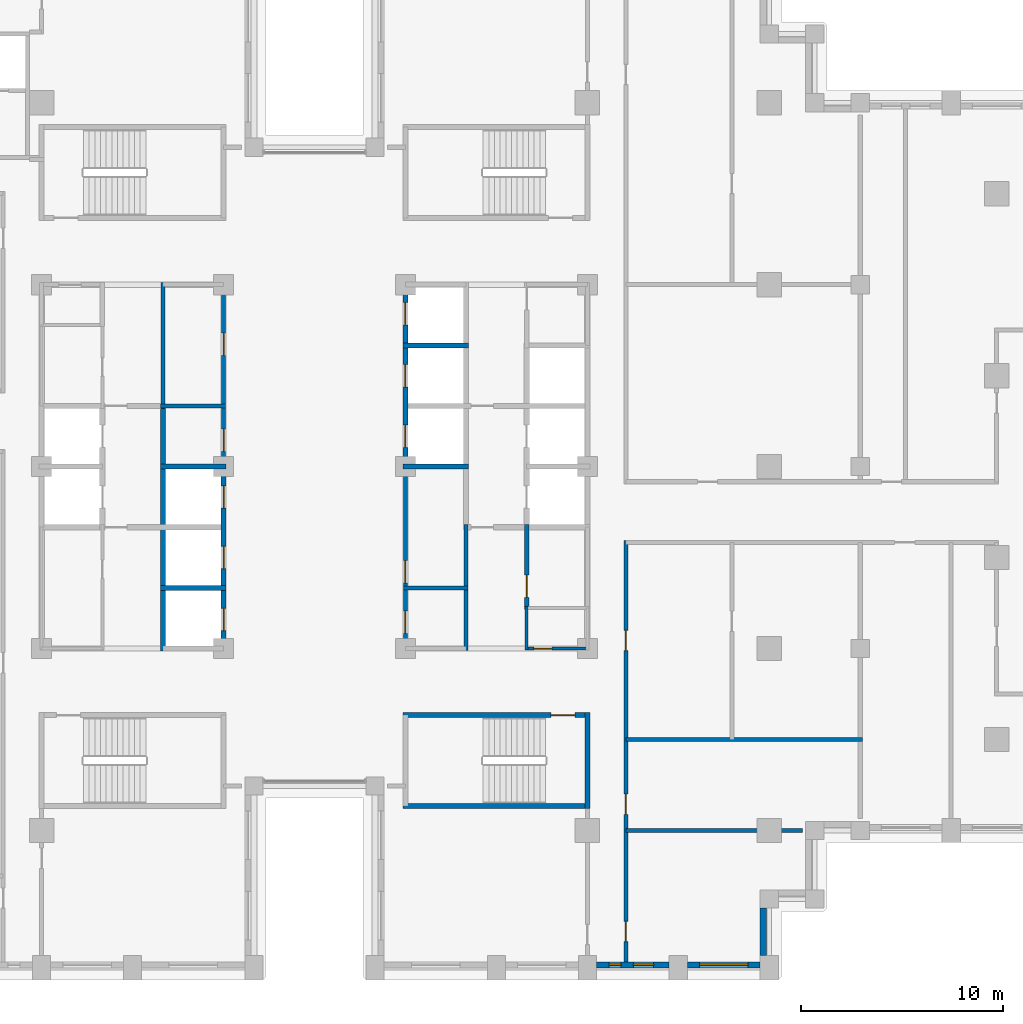
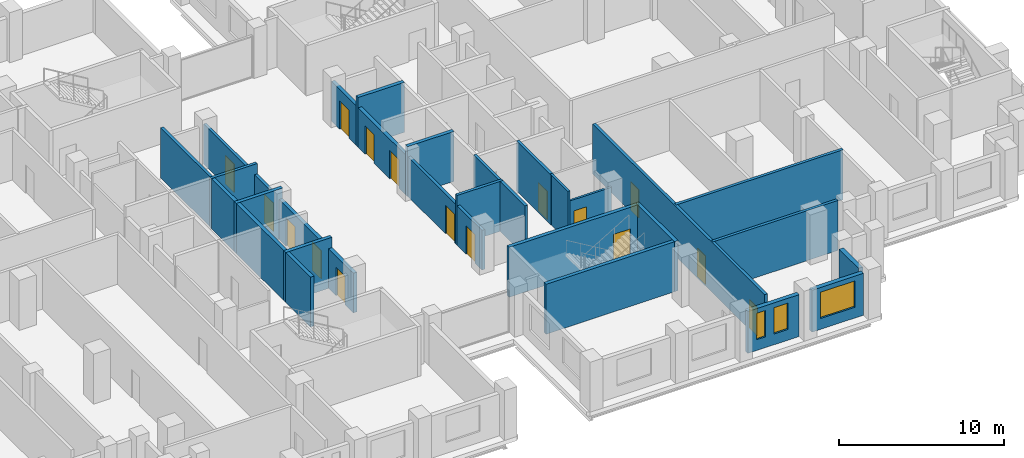
# One storey, part 8 of 16: 25 walls, 16 doors, 3 windows, 19 openings.
"""IFC4 building model written with IfcOpenShell, lengths in metres."""

from ifc_helpers import new_model, si_unit, direction, frame, frame_2d, origin, place, context, subcontext, project, spatial, rectangle, extrude, material, layer, layer_set, type_object, element, fill, save


model = new_model("IFC4")

# Units and contexts
model_context = context("Model", 3, precision=1e-05, world=origin(), true_north=direction((0.0, 1.0)))
body_context = subcontext(model_context, "Body", "Model", "MODEL_VIEW")
ifc_project = project(units=[si_unit("LENGTHUNIT", "METRE"), si_unit("AREAUNIT", "SQUARE_METRE"), si_unit("VOLUMEUNIT", "CUBIC_METRE"), si_unit("PLANEANGLEUNIT", "RADIAN"), si_unit("MASSUNIT", "GRAM", prefix="KILO")], contexts=[model_context])

# Site, building, storey
site_placement = place(None, origin())
site = spatial("IfcSite", under=ifc_project, at=site_placement, CompositionType="ELEMENT")
building_placement = place(site_placement, origin())
building = spatial("IfcBuilding", under=site, at=building_placement, Name="Corbelhall Arena Tower", CompositionType="ELEMENT")
storey_placement = place(building_placement, frame((0.0, 0.0, 104.0)))
storey = spatial("IfcBuildingStorey", under=building, at=storey_placement, Name="L18", CompositionType="ELEMENT", Elevation=104.0)

# Wall, openings, windows
ifc_material_1 = material(Name="Precast concrete C40/50 with granite facing", Category="masonry")
ifc_layer_1 = layer(ifc_material_1, 0.300048828125)
ifc_layer_set_1 = layer_set([ifc_layer_1], Name="EV-IW1 Infill panel 300")
wall_type_1 = type_object("IfcWallType", Name="EV-IW1 Infill panel 300", PredefinedType="SOLIDWALL", material=ifc_layer_set_1)
wall_1_placement = place(storey_placement, frame((13.949951171875, -24.64990234375, 0.0), z_axis=(0.0, 0.0, 1.0), x_axis=(1.0, 0.0, 0.0)))
wall_1 = element("IfcWall", 1, at=wall_1_placement, inside=storey, type_object=wall_type_1, Name="Infill panel IW1", PredefinedType="SOLIDWALL", context=body_context, shape_type="SweptSolid", body=[
    extrude(rectangle(XDim=3.60009765625, YDim=0.300048828125, at=frame_2d((1.800048828125, 0.0))), origin(), (0.0, 0.0, 1.0), 3.10009765625),
])
opening_1_placement = place(wall_1_placement, frame((0.625, 0.0, 0.800048828125)))
opening_1 = element("IfcOpeningElement", 2, at=opening_1_placement, cuts=wall_1, Name="Opening WN5", PredefinedType="OPENING", context=body_context, shape_type="SweptSolid", body=[
    extrude(rectangle(XDim=0.60009765625, YDim=1.949951171875, at=frame_2d((0.300048828125, 0.97509765625))), frame((0.0, 0.14990234375, 0.0), z_axis=(0.0, -1.0, 0.0), x_axis=(1.0, 0.0, 0.0)), (0.0, 0.0, 1.0), 0.300048828125),
])
opening_2_placement = place(wall_1_placement, frame((1.824951171875, 0.0, 0.800048828125)))
opening_2 = element("IfcOpeningElement", 3, at=opening_2_placement, cuts=wall_1, Name="Opening WN6", PredefinedType="OPENING", context=body_context, shape_type="SweptSolid", body=[
    extrude(rectangle(XDim=1.0, YDim=1.949951171875, at=frame_2d((0.5, 0.97509765625))), frame((0.0, 0.14990234375, 0.0), z_axis=(0.0, -1.0, 0.0), x_axis=(1.0, 0.0, 0.0)), (0.0, 0.0, 1.0), 0.300048828125),
])
ifc_material_2 = material(Name="Aluminium black anodised", Category="aluminium")
window_type_1 = type_object("IfcWindowType", Name="EV-WN5 Office window 600", PartitioningType="SINGLE_PANEL", PredefinedType="WINDOW", material=ifc_material_2)
window_1_placement = place(opening_1_placement, origin())
window_1 = element("IfcWindow", 4, at=window_1_placement, inside=storey, type_object=window_type_1, Name="Window WN5", OverallHeight=1.949951171875, OverallWidth=0.60009765625, PartitioningType="SINGLE_PANEL", PredefinedType="WINDOW", context=body_context, shape_type="SweptSolid", body=[
    extrude(rectangle(XDim=0.60009765625, YDim=1.949951171875, at=frame_2d((0.300048828125, 0.97509765625))), frame((0.0, 0.030029296875, 0.0), z_axis=(0.0, -1.0, 0.0), x_axis=(1.0, 0.0, 0.0)), (0.0, 0.0, 1.0), 0.06005859375),
])
fill(opening_1, window_1)
window_type_2 = type_object("IfcWindowType", Name="EV-WN6 Office window 1000", PartitioningType="SINGLE_PANEL", PredefinedType="WINDOW", material=ifc_material_2)
window_2_placement = place(opening_2_placement, origin())
window_2 = element("IfcWindow", 5, at=window_2_placement, inside=storey, type_object=window_type_2, Name="Window WN6", OverallHeight=1.949951171875, OverallWidth=1.0, PartitioningType="SINGLE_PANEL", PredefinedType="WINDOW", context=body_context, shape_type="SweptSolid", body=[
    extrude(rectangle(XDim=1.0, YDim=1.949951171875, at=frame_2d((0.5, 0.97509765625))), frame((0.0, 0.030029296875, 0.0), z_axis=(0.0, -1.0, 0.0), x_axis=(1.0, 0.0, 0.0)), (0.0, 0.0, 1.0), 0.06005859375),
])
fill(opening_2, window_2)

# Wall, opening, window
wall_2_placement = place(storey_placement, frame((18.449951171875, -24.64990234375, 0.0), z_axis=(0.0, 0.0, 1.0), x_axis=(1.0, 0.0, 0.0)))
wall_2 = element("IfcWall", 6, at=wall_2_placement, inside=storey, type_object=wall_type_1, Name="Infill panel IW1", PredefinedType="SOLIDWALL", context=body_context, shape_type="SweptSolid", body=[
    extrude(rectangle(XDim=3.60009765625, YDim=0.300048828125, at=frame_2d((1.800048828125, 0.0))), origin(), (0.0, 0.0, 1.0), 3.10009765625),
])
opening_3_placement = place(wall_2_placement, frame((0.60009765625, 0.0, 0.800048828125)))
opening_3 = element("IfcOpeningElement", 7, at=opening_3_placement, cuts=wall_2, Name="Opening WN1", PredefinedType="OPENING", context=body_context, shape_type="SweptSolid", body=[
    extrude(rectangle(XDim=2.39990234375, YDim=1.949951171875, at=frame_2d((1.199951171875, 0.97509765625))), frame((0.0, 0.14990234375, 0.0), z_axis=(0.0, -1.0, 0.0), x_axis=(1.0, 0.0, 0.0)), (0.0, 0.0, 1.0), 0.300048828125),
])
window_type_3 = type_object("IfcWindowType", Name="EV-WN1 Office window", PartitioningType="SINGLE_PANEL", PredefinedType="WINDOW", material=ifc_material_2)
window_3_placement = place(opening_3_placement, origin())
window_3 = element("IfcWindow", 8, at=window_3_placement, inside=storey, type_object=window_type_3, Name="Window WN1", OverallHeight=1.949951171875, OverallWidth=2.39990234375, PartitioningType="SINGLE_PANEL", PredefinedType="WINDOW", context=body_context, shape_type="SweptSolid", body=[
    extrude(rectangle(XDim=2.39990234375, YDim=1.949951171875, at=frame_2d((1.199951171875, 0.97509765625))), frame((0.0, 0.030029296875, 0.0), z_axis=(0.0, -1.0, 0.0), x_axis=(1.0, 0.0, 0.0)), (0.0, 0.0, 1.0), 0.06005859375),
])
fill(opening_3, window_3)

# Walls
wall_3_placement = place(storey_placement, frame((22.199951171875, -24.199951171875, 0.0), z_axis=(0.0, 0.0, 1.0), x_axis=(0.0, 1.0, 0.0)))
element("IfcWall", 9, at=wall_3_placement, inside=storey, type_object=wall_type_1, Name="Infill panel IW1", PredefinedType="SOLIDWALL", context=body_context, shape_type="SweptSolid", body=[
    extrude(rectangle(XDim=2.349853515625, YDim=0.300048828125, at=frame_2d((1.1748046875, 0.0))), origin(), (0.0, 0.0, 1.0), 3.10009765625),
])
ifc_material_3 = material(Name="Gypsum board on steel stud, acoustic", Category="steel")
ifc_layer_2 = layer(ifc_material_3, 0.199951171875)
ifc_layer_set_2 = layer_set([ifc_layer_2], Name="IN-W-DM200")
wall_type_2 = type_object("IfcWallType", Name="IN-W-DM200", PredefinedType="PARTITIONING", material=ifc_layer_set_2)
wall_4_placement = place(storey_placement, frame((15.39990234375, -18.0, 0.0), z_axis=(0.0, 0.0, 1.0), x_axis=(1.0, 0.0, 0.0)))
element("IfcWall", 10, at=wall_4_placement, inside=storey, type_object=wall_type_2, Name="Partition 027", PredefinedType="PARTITIONING", context=body_context, shape_type="SweptSolid", body=[
    extrude(rectangle(XDim=8.75, YDim=0.199951171875, at=frame_2d((4.375, 0.0))), origin(), (0.0, 0.0, 1.0), 3.699951171875),
])

# Wall, openings, doors
wall_5_placement = place(storey_placement, frame((15.39990234375, -3.64990234375, 0.0), z_axis=(0.0, 0.0, 1.0), x_axis=(0.0, -1.0, 0.0)))
wall_5 = element("IfcWall", 11, at=wall_5_placement, inside=storey, type_object=wall_type_2, Name="Partition 028", PredefinedType="PARTITIONING", context=body_context, shape_type="SweptSolid", body=[
    extrude(rectangle(XDim=20.85009765625, YDim=0.199951171875, at=frame_2d((10.425048828125, 0.0))), origin(), (0.0, 0.0, 1.0), 3.699951171875),
])
opening_4_placement = place(wall_5_placement, frame((18.85009765625, 0.0, 0.0)))
opening_4 = element("IfcOpeningElement", 12, at=opening_4_placement, cuts=wall_5, Name="Opening 04035", PredefinedType="OPENING", context=body_context, shape_type="SweptSolid", body=[
    extrude(rectangle(XDim=1.0, YDim=2.10009765625, at=frame_2d((0.5, 1.050048828125))), frame((0.0, 0.10009765625, 0.0), z_axis=(0.0, -1.0, 0.0), x_axis=(1.0, 0.0, 0.0)), (0.0, 0.0, 1.0), 0.199951171875),
])
opening_5_placement = place(wall_5_placement, frame((12.550048828125, 0.0, 0.0)))
opening_5 = element("IfcOpeningElement", 13, at=opening_5_placement, cuts=wall_5, Name="Opening 04036", PredefinedType="OPENING", context=body_context, shape_type="SweptSolid", body=[
    extrude(rectangle(XDim=1.0, YDim=2.10009765625, at=frame_2d((0.5, 1.050048828125))), frame((0.0, 0.10009765625, 0.0), z_axis=(0.0, -1.0, 0.0), x_axis=(1.0, 0.0, 0.0)), (0.0, 0.0, 1.0), 0.199951171875),
])
opening_6_placement = place(wall_5_placement, frame((4.449951171875, 0.0, 0.0)))
opening_6 = element("IfcOpeningElement", 14, at=opening_6_placement, cuts=wall_5, Name="Opening 04037", PredefinedType="OPENING", context=body_context, shape_type="SweptSolid", body=[
    extrude(rectangle(XDim=1.0, YDim=2.10009765625, at=frame_2d((0.5, 1.050048828125))), frame((0.0, 0.10009765625, 0.0), z_axis=(0.0, -1.0, 0.0), x_axis=(1.0, 0.0, 0.0)), (0.0, 0.0, 1.0), 0.199951171875),
])
ifc_material_4 = material(Name="Steel door set", Category="steel")
door_type_1 = type_object("IfcDoorType", Name="IN-D-SW100", OperationType="NOTDEFINED", PredefinedType="DOOR", material=ifc_material_4)
door_1_placement = place(opening_4_placement, origin())
door_1 = element("IfcDoor", 15, at=door_1_placement, inside=storey, type_object=door_type_1, Name="Door 035", OperationType="SINGLE_SWING_RIGHT", OverallHeight=2.10009765625, OverallWidth=1.0, PredefinedType="DOOR", context=body_context, shape_type="SweptSolid", body=[
    extrude(rectangle(XDim=1.0, YDim=2.10009765625, at=frame_2d((0.5, 1.050048828125))), frame((0.0, 0.02490234375, 0.0), z_axis=(0.0, -1.0, 0.0), x_axis=(1.0, 0.0, 0.0)), (0.0, 0.0, 1.0), 0.050048828125),
])
fill(opening_4, door_1)
door_2_placement = place(opening_5_placement, origin())
door_2 = element("IfcDoor", 16, at=door_2_placement, inside=storey, type_object=door_type_1, Name="Door 036", OperationType="SINGLE_SWING_LEFT", OverallHeight=2.10009765625, OverallWidth=1.0, PredefinedType="DOOR", context=body_context, shape_type="SweptSolid", body=[
    extrude(rectangle(XDim=1.0, YDim=2.10009765625, at=frame_2d((0.5, 1.050048828125))), frame((0.0, 0.02490234375, 0.0), z_axis=(0.0, -1.0, 0.0), x_axis=(1.0, 0.0, 0.0)), (0.0, 0.0, 1.0), 0.050048828125),
])
fill(opening_5, door_2)
door_3_placement = place(opening_6_placement, origin())
door_3 = element("IfcDoor", 17, at=door_3_placement, inside=storey, type_object=door_type_1, Name="Door 037", OperationType="SINGLE_SWING_RIGHT", OverallHeight=2.10009765625, OverallWidth=1.0, PredefinedType="DOOR", context=body_context, shape_type="SweptSolid", body=[
    extrude(rectangle(XDim=1.0, YDim=2.10009765625, at=frame_2d((0.5, 1.050048828125))), frame((0.0, 0.02490234375, 0.0), z_axis=(0.0, -1.0, 0.0), x_axis=(1.0, 0.0, 0.0)), (0.0, 0.0, 1.0), 0.050048828125),
])
fill(opening_6, door_3)

# Walls
wall_6_placement = place(storey_placement, frame((15.39990234375, -13.5, 0.0), z_axis=(0.0, 0.0, 1.0), x_axis=(1.0, 0.0, 0.0)))
element("IfcWall", 18, at=wall_6_placement, inside=storey, type_object=wall_type_2, Name="Partition 029", PredefinedType="PARTITIONING", context=body_context, shape_type="SweptSolid", body=[
    extrude(rectangle(XDim=11.7001953125, YDim=0.199951171875, at=frame_2d((5.85009765625, 0.0))), origin(), (0.0, 0.0, 1.0), 3.699951171875),
])
ifc_material_5 = material(Name="Concrete block wall", Category="concrete")
ifc_layer_3 = layer(ifc_material_5, 0.199951171875)
ifc_layer_set_3 = layer_set([ifc_layer_3], Name="IN-W-RS200")
wall_type_3 = type_object("IfcWallType", Name="IN-W-RS200", PredefinedType="SOLIDWALL", material=ifc_layer_set_3)
wall_7_placement = place(storey_placement, frame((-7.625, 3.0, 0.0), z_axis=(0.0, 0.0, 1.0), x_axis=(1.0, 0.0, 0.0)))
element("IfcWall", 19, at=wall_7_placement, inside=storey, type_object=wall_type_3, Name="Partition 047", PredefinedType="SOLIDWALL", context=body_context, shape_type="SweptSolid", body=[
    extrude(rectangle(XDim=3.22509765625, YDim=0.199951171875, at=frame_2d((1.612548828125, 0.0))), origin(), (0.0, 0.0, 1.0), 3.699951171875),
])
wall_8_placement = place(storey_placement, frame((-7.5, 2.875, 0.0), z_axis=(0.0, 0.0, 1.0), x_axis=(0.0, 1.0, 0.0)))
element("IfcWall", 20, at=wall_8_placement, inside=storey, type_object=wall_type_3, Name="Partition 048", PredefinedType="SOLIDWALL", context=body_context, shape_type="SweptSolid", body=[
    extrude(rectangle(XDim=6.22509765625, YDim=0.199951171875, at=frame_2d((3.112548828125, 0.0))), origin(), (0.0, 0.0, 1.0), 3.699951171875),
])
wall_9_placement = place(storey_placement, frame((4.39990234375, -6.0, 0.0), z_axis=(0.0, 0.0, 1.0), x_axis=(1.0, 0.0, 0.0)))
element("IfcWall", 21, at=wall_9_placement, inside=storey, type_object=wall_type_3, Name="Partition 051", PredefinedType="SOLIDWALL", context=body_context, shape_type="SweptSolid", body=[
    extrude(rectangle(XDim=3.2001953125, YDim=0.199951171875, at=frame_2d((1.60009765625, 0.0))), origin(), (0.0, 0.0, 1.0), 3.699951171875),
])
wall_10_placement = place(storey_placement, frame((7.5, -2.875, 0.0), z_axis=(0.0, 0.0, 1.0), x_axis=(0.0, -1.0, 0.0)))
element("IfcWall", 22, at=wall_10_placement, inside=storey, type_object=wall_type_3, Name="Partition 054", PredefinedType="SOLIDWALL", context=body_context, shape_type="SweptSolid", body=[
    extrude(rectangle(XDim=6.22509765625, YDim=0.199951171875, at=frame_2d((3.112548828125, 0.0))), origin(), (0.0, 0.0, 1.0), 3.699951171875),
])

# Wall, opening, door
wall_11_placement = place(storey_placement, frame((10.5, -2.875, 0.0), z_axis=(0.0, 0.0, 1.0), x_axis=(0.0, -1.0, 0.0)))
wall_11 = element("IfcWall", 23, at=wall_11_placement, inside=storey, type_object=wall_type_3, Name="Partition 055", PredefinedType="SOLIDWALL", context=body_context, shape_type="SweptSolid", body=[
    extrude(rectangle(XDim=4.199951171875, YDim=0.199951171875, at=frame_2d((2.10009765625, 0.0))), origin(), (0.0, 0.0, 1.0), 3.699951171875),
])
opening_7_placement = place(wall_11_placement, frame((2.5, 0.0, 0.0)))
opening_7 = element("IfcOpeningElement", 24, at=opening_7_placement, cuts=wall_11, Name="Opening 04013", PredefinedType="OPENING", context=body_context, shape_type="SweptSolid", body=[
    extrude(rectangle(XDim=1.10009765625, YDim=2.10009765625, at=frame_2d((0.550048828125, 1.050048828125))), frame((0.0, 0.10009765625, 0.0), z_axis=(0.0, -1.0, 0.0), x_axis=(1.0, 0.0, 0.0)), (0.0, 0.0, 1.0), 0.199951171875),
])
door_type_2 = type_object("IfcDoorType", Name="IN-D-FD110", OperationType="NOTDEFINED", PredefinedType="DOOR", material=ifc_material_4)
door_4_placement = place(opening_7_placement, origin())
door_4 = element("IfcDoor", 25, at=door_4_placement, inside=storey, type_object=door_type_2, Name="Door 013", OperationType="SINGLE_SWING_RIGHT", OverallHeight=2.10009765625, OverallWidth=1.10009765625, PredefinedType="DOOR", context=body_context, shape_type="SweptSolid", body=[
    extrude(rectangle(XDim=1.10009765625, YDim=2.10009765625, at=frame_2d((0.550048828125, 1.050048828125))), frame((0.0, 0.02490234375, 0.0), z_axis=(0.0, -1.0, 0.0), x_axis=(1.0, 0.0, 0.0)), (0.0, 0.0, 1.0), 0.050048828125),
])
fill(opening_7, door_4)

# Wall, openings, doors
ifc_layer_4 = layer(ifc_material_5, 0.199951171875)
ifc_layer_set_4 = layer_set([ifc_layer_4], Name="IN-W-RS200 under beam 762 mm")
wall_type_4 = type_object("IfcWallType", Name="IN-W-RS200 under beam 762 mm", PredefinedType="SOLIDWALL", material=ifc_layer_set_4)
wall_12_placement = place(storey_placement, frame((-4.5, 9.10009765625, 0.0), z_axis=(0.0, 0.0, 1.0), x_axis=(0.0, -1.0, 0.0)))
wall_12 = element("IfcWall", 26, at=wall_12_placement, inside=storey, type_object=wall_type_4, Name="Partition 050", PredefinedType="SOLIDWALL", context=body_context, shape_type="SweptSolid", body=[
    extrude(rectangle(XDim=9.10009765625, YDim=0.199951171875, at=frame_2d((4.550048828125, 0.0))), origin(), (0.0, 0.0, 1.0), 2.93798828125),
])
opening_8_placement = place(wall_12_placement, frame((7.25, 0.0, 0.0)))
opening_8 = element("IfcOpeningElement", 27, at=opening_8_placement, cuts=wall_12, Name="Opening 04001", PredefinedType="OPENING", context=body_context, shape_type="SweptSolid", body=[
    extrude(rectangle(XDim=1.10009765625, YDim=2.10009765625, at=frame_2d((0.550048828125, 1.050048828125))), frame((0.0, 0.10009765625, 0.0), z_axis=(0.0, -1.0, 0.0), x_axis=(1.0, 0.0, 0.0)), (0.0, 0.0, 1.0), 0.199951171875),
])
opening_9_placement = place(wall_12_placement, frame((2.5, 0.0, 0.0)))
opening_9 = element("IfcOpeningElement", 28, at=opening_9_placement, cuts=wall_12, Name="Opening 04002", PredefinedType="OPENING", context=body_context, shape_type="SweptSolid", body=[
    extrude(rectangle(XDim=1.10009765625, YDim=2.10009765625, at=frame_2d((0.550048828125, 1.050048828125))), frame((0.0, 0.10009765625, 0.0), z_axis=(0.0, -1.0, 0.0), x_axis=(1.0, 0.0, 0.0)), (0.0, 0.0, 1.0), 0.199951171875),
])
door_5_placement = place(opening_8_placement, origin())
door_5 = element("IfcDoor", 29, at=door_5_placement, inside=storey, type_object=door_type_2, Name="Door 001", OperationType="SINGLE_SWING_RIGHT", OverallHeight=2.10009765625, OverallWidth=1.10009765625, PredefinedType="DOOR", context=body_context, shape_type="SweptSolid", body=[
    extrude(rectangle(XDim=1.10009765625, YDim=2.10009765625, at=frame_2d((0.550048828125, 1.050048828125))), frame((0.0, 0.02490234375, 0.0), z_axis=(0.0, -1.0, 0.0), x_axis=(1.0, 0.0, 0.0)), (0.0, 0.0, 1.0), 0.050048828125),
])
fill(opening_8, door_5)
door_6_placement = place(opening_9_placement, origin())
door_6 = element("IfcDoor", 30, at=door_6_placement, inside=storey, type_object=door_type_2, Name="Door 002", OperationType="SINGLE_SWING_LEFT", OverallHeight=2.10009765625, OverallWidth=1.10009765625, PredefinedType="DOOR", context=body_context, shape_type="SweptSolid", body=[
    extrude(rectangle(XDim=1.10009765625, YDim=2.10009765625, at=frame_2d((0.550048828125, 1.050048828125))), frame((0.0, 0.02490234375, 0.0), z_axis=(0.0, -1.0, 0.0), x_axis=(1.0, 0.0, 0.0)), (0.0, 0.0, 1.0), 0.050048828125),
])
fill(opening_9, door_6)

wall_13_placement = place(storey_placement, frame((4.5, -9.10009765625, 0.0), z_axis=(0.0, 0.0, 1.0), x_axis=(0.0, 1.0, 0.0)))
wall_13 = element("IfcWall", 31, at=wall_13_placement, inside=storey, type_object=wall_type_4, Name="Partition 052", PredefinedType="SOLIDWALL", context=body_context, shape_type="SweptSolid", body=[
    extrude(rectangle(XDim=9.10009765625, YDim=0.199951171875, at=frame_2d((4.550048828125, 0.0))), origin(), (0.0, 0.0, 1.0), 2.93798828125),
])
opening_10_placement = place(wall_13_placement, frame((0.85009765625, 0.0, 0.0)))
opening_10 = element("IfcOpeningElement", 32, at=opening_10_placement, cuts=wall_13, Name="Opening 04008", PredefinedType="OPENING", context=body_context, shape_type="SweptSolid", body=[
    extrude(rectangle(XDim=1.10009765625, YDim=2.10009765625, at=frame_2d((0.550048828125, 1.050048828125))), frame((0.0, 0.10009765625, 0.0), z_axis=(0.0, -1.0, 0.0), x_axis=(1.0, 0.0, 0.0)), (0.0, 0.0, 1.0), 0.199951171875),
])
opening_11_placement = place(wall_13_placement, frame((3.35009765625, 0.0, 0.0)))
opening_11 = element("IfcOpeningElement", 33, at=opening_11_placement, cuts=wall_13, Name="Opening 04009", PredefinedType="OPENING", context=body_context, shape_type="SweptSolid", body=[
    extrude(rectangle(XDim=1.10009765625, YDim=2.10009765625, at=frame_2d((0.550048828125, 1.050048828125))), frame((0.0, 0.10009765625, 0.0), z_axis=(0.0, -1.0, 0.0), x_axis=(1.0, 0.0, 0.0)), (0.0, 0.0, 1.0), 0.199951171875),
])
door_7_placement = place(opening_10_placement, origin())
door_7 = element("IfcDoor", 34, at=door_7_placement, inside=storey, type_object=door_type_2, Name="Door 008", OperationType="SINGLE_SWING_LEFT", OverallHeight=2.10009765625, OverallWidth=1.10009765625, PredefinedType="DOOR", context=body_context, shape_type="SweptSolid", body=[
    extrude(rectangle(XDim=1.10009765625, YDim=2.10009765625, at=frame_2d((0.550048828125, 1.050048828125))), frame((0.0, 0.02490234375, 0.0), z_axis=(0.0, -1.0, 0.0), x_axis=(1.0, 0.0, 0.0)), (0.0, 0.0, 1.0), 0.050048828125),
])
fill(opening_10, door_7)
door_8_placement = place(opening_11_placement, origin())
door_8 = element("IfcDoor", 35, at=door_8_placement, inside=storey, type_object=door_type_2, Name="Door 009", OperationType="SINGLE_SWING_RIGHT", OverallHeight=2.10009765625, OverallWidth=1.10009765625, PredefinedType="DOOR", context=body_context, shape_type="SweptSolid", body=[
    extrude(rectangle(XDim=1.10009765625, YDim=2.10009765625, at=frame_2d((0.550048828125, 1.050048828125))), frame((0.0, 0.02490234375, 0.0), z_axis=(0.0, -1.0, 0.0), x_axis=(1.0, 0.0, 0.0)), (0.0, 0.0, 1.0), 0.050048828125),
])
fill(opening_11, door_8)

# Walls
ifc_material_6 = material(Name="Concrete C40/50", Category="concrete")
ifc_layer_5 = layer(ifc_material_6, 0.25)
ifc_layer_set_5 = layer_set([ifc_layer_5], Name="IN-W-SH250")
wall_type_5 = type_object("IfcWallType", Name="IN-W-SH250", PredefinedType="SOLIDWALL", material=ifc_layer_set_5)
for number, where, z_axis, x_axis, name in (
    (36, (-7.625, -6.0, 0.0), (0.0, 0.0, 1.0), (1.0, 0.0, 0.0), "Shaft wall 065"),
    (37, (-7.625, 0.0, 0.0), (0.0, 0.0, 1.0), (1.0, 0.0, 0.0), "Shaft wall 066"),
):
    element("IfcWall", number, at=place(storey_placement, frame(where, z_axis=z_axis, x_axis=x_axis)), inside=storey, type_object=wall_type_5, Name=name, PredefinedType="SOLIDWALL", context=body_context, shape_type="SweptSolid", body=[
        extrude(rectangle(XDim=3.25, YDim=0.25, at=frame_2d((1.625, 0.0))), origin(), (0.0, 0.0, 1.0), 3.699951171875),
    ])
wall_14_placement = place(storey_placement, frame((-7.5, -9.125, 0.0), z_axis=(0.0, 0.0, 1.0), x_axis=(0.0, 1.0, 0.0)))
element("IfcWall", 38, at=wall_14_placement, inside=storey, type_object=wall_type_5, Name="Shaft wall 067", PredefinedType="SOLIDWALL", context=body_context, shape_type="SweptSolid", body=[
    extrude(rectangle(XDim=12.25, YDim=0.25, at=frame_2d((6.125, 0.0))), origin(), (0.0, 0.0, 1.0), 3.699951171875),
])
for number, where, z_axis, x_axis, name in (
    (39, (4.375, 0.0, 0.0), (0.0, 0.0, 1.0), (1.0, 0.0, 0.0), "Shaft wall 070"),
    (40, (4.375, 6.0, 0.0), (0.0, 0.0, 1.0), (1.0, 0.0, 0.0), "Shaft wall 072"),
):
    element("IfcWall", number, at=place(storey_placement, frame(where, z_axis=z_axis, x_axis=x_axis)), inside=storey, type_object=wall_type_5, Name=name, PredefinedType="SOLIDWALL", context=body_context, shape_type="SweptSolid", body=[
        extrude(rectangle(XDim=3.25, YDim=0.25, at=frame_2d((1.625, 0.0))), origin(), (0.0, 0.0, 1.0), 3.699951171875),
    ])

# Wall, openings, doors
ifc_layer_6 = layer(ifc_material_6, 0.25)
ifc_layer_set_6 = layer_set([ifc_layer_6], Name="IN-W-SH250 under beam 762 mm")
wall_type_6 = type_object("IfcWallType", Name="IN-W-SH250 under beam 762 mm", PredefinedType="SOLIDWALL", material=ifc_layer_set_6)
wall_15_placement = place(storey_placement, frame((-4.5, 0.0, 0.0), z_axis=(0.0, 0.0, 1.0), x_axis=(0.0, -1.0, 0.0)))
wall_15 = element("IfcWall", 41, at=wall_15_placement, inside=storey, type_object=wall_type_6, Name="Shaft wall 069", PredefinedType="SOLIDWALL", context=body_context, shape_type="SweptSolid", body=[
    extrude(rectangle(XDim=9.125, YDim=0.25, at=frame_2d((4.5625, 0.0))), origin(), (0.0, 0.0, 1.0), 2.93798828125),
])
opening_12_placement = place(wall_15_placement, frame((7.012451171875, 0.0, 0.0)))
opening_12 = element("IfcOpeningElement", 42, at=opening_12_placement, cuts=wall_15, Name="Opening LD", PredefinedType="OPENING", context=body_context, shape_type="SweptSolid", body=[
    extrude(rectangle(XDim=1.10009765625, YDim=2.10009765625, at=frame_2d((0.550048828125, 1.050048828125))), frame((0.0, 0.125, 0.0), z_axis=(0.0, -1.0, 0.0), x_axis=(1.0, 0.0, 0.0)), (0.0, 0.0, 1.0), 0.25),
])
opening_13_placement = place(wall_15_placement, frame((3.949951171875, 0.0, 0.0)))
opening_13 = element("IfcOpeningElement", 43, at=opening_13_placement, cuts=wall_15, Name="Opening LD", PredefinedType="OPENING", context=body_context, shape_type="SweptSolid", body=[
    extrude(rectangle(XDim=1.10009765625, YDim=2.10009765625, at=frame_2d((0.550048828125, 1.050048828125))), frame((0.0, 0.125, 0.0), z_axis=(0.0, -1.0, 0.0), x_axis=(1.0, 0.0, 0.0)), (0.0, 0.0, 1.0), 0.25),
])
opening_14_placement = place(wall_15_placement, frame((0.949951171875, 0.0, 0.0)))
opening_14 = element("IfcOpeningElement", 44, at=opening_14_placement, cuts=wall_15, Name="Opening LD", PredefinedType="OPENING", context=body_context, shape_type="SweptSolid", body=[
    extrude(rectangle(XDim=1.10009765625, YDim=2.10009765625, at=frame_2d((0.550048828125, 1.050048828125))), frame((0.0, 0.125, 0.0), z_axis=(0.0, -1.0, 0.0), x_axis=(1.0, 0.0, 0.0)), (0.0, 0.0, 1.0), 0.25),
])
door_type_3 = type_object("IfcDoorType", Name="IN-D-LD110", OperationType="NOTDEFINED", PredefinedType="DOOR", material=ifc_material_4)
door_9_placement = place(opening_12_placement, origin())
door_9 = element("IfcDoor", 45, at=door_9_placement, inside=storey, type_object=door_type_3, Name="Landing door W1", OperationType="SLIDING_TO_LEFT", OverallHeight=2.10009765625, OverallWidth=1.10009765625, PredefinedType="DOOR", context=body_context, shape_type="SweptSolid", body=[
    extrude(rectangle(XDim=1.10009765625, YDim=2.10009765625, at=frame_2d((0.550048828125, 1.050048828125))), frame((0.0, 0.02490234375, 0.0), z_axis=(0.0, -1.0, 0.0), x_axis=(1.0, 0.0, 0.0)), (0.0, 0.0, 1.0), 0.050048828125),
])
fill(opening_12, door_9)
door_10_placement = place(opening_13_placement, origin())
door_10 = element("IfcDoor", 46, at=door_10_placement, inside=storey, type_object=door_type_3, Name="Landing door W2", OperationType="SLIDING_TO_LEFT", OverallHeight=2.10009765625, OverallWidth=1.10009765625, PredefinedType="DOOR", context=body_context, shape_type="SweptSolid", body=[
    extrude(rectangle(XDim=1.10009765625, YDim=2.10009765625, at=frame_2d((0.550048828125, 1.050048828125))), frame((0.0, 0.02490234375, 0.0), z_axis=(0.0, -1.0, 0.0), x_axis=(1.0, 0.0, 0.0)), (0.0, 0.0, 1.0), 0.050048828125),
])
fill(opening_13, door_10)
door_11_placement = place(opening_14_placement, origin())
door_11 = element("IfcDoor", 47, at=door_11_placement, inside=storey, type_object=door_type_3, Name="Landing door W3", OperationType="SLIDING_TO_LEFT", OverallHeight=2.10009765625, OverallWidth=1.10009765625, PredefinedType="DOOR", context=body_context, shape_type="SweptSolid", body=[
    extrude(rectangle(XDim=1.10009765625, YDim=2.10009765625, at=frame_2d((0.550048828125, 1.050048828125))), frame((0.0, 0.02490234375, 0.0), z_axis=(0.0, -1.0, 0.0), x_axis=(1.0, 0.0, 0.0)), (0.0, 0.0, 1.0), 0.050048828125),
])
fill(opening_14, door_11)

wall_16_placement = place(storey_placement, frame((4.5, 0.0, 0.0), z_axis=(0.0, 0.0, 1.0), x_axis=(0.0, 1.0, 0.0)))
wall_16 = element("IfcWall", 48, at=wall_16_placement, inside=storey, type_object=wall_type_6, Name="Shaft wall 073", PredefinedType="SOLIDWALL", context=body_context, shape_type="SweptSolid", body=[
    extrude(rectangle(XDim=9.125, YDim=0.25, at=frame_2d((4.5625, 0.0))), origin(), (0.0, 0.0, 1.0), 2.93798828125),
])
opening_15_placement = place(wall_16_placement, frame((0.949951171875, 0.0, 0.0)))
opening_15 = element("IfcOpeningElement", 49, at=opening_15_placement, cuts=wall_16, Name="Opening LD", PredefinedType="OPENING", context=body_context, shape_type="SweptSolid", body=[
    extrude(rectangle(XDim=1.10009765625, YDim=2.10009765625, at=frame_2d((0.550048828125, 1.050048828125))), frame((0.0, 0.125, 0.0), z_axis=(0.0, -1.0, 0.0), x_axis=(1.0, 0.0, 0.0)), (0.0, 0.0, 1.0), 0.25),
])
opening_16_placement = place(wall_16_placement, frame((3.949951171875, 0.0, 0.0)))
opening_16 = element("IfcOpeningElement", 50, at=opening_16_placement, cuts=wall_16, Name="Opening LD", PredefinedType="OPENING", context=body_context, shape_type="SweptSolid", body=[
    extrude(rectangle(XDim=1.10009765625, YDim=2.10009765625, at=frame_2d((0.550048828125, 1.050048828125))), frame((0.0, 0.125, 0.0), z_axis=(0.0, -1.0, 0.0), x_axis=(1.0, 0.0, 0.0)), (0.0, 0.0, 1.0), 0.25),
])
opening_17_placement = place(wall_16_placement, frame((7.012451171875, 0.0, 0.0)))
opening_17 = element("IfcOpeningElement", 51, at=opening_17_placement, cuts=wall_16, Name="Opening LD", PredefinedType="OPENING", context=body_context, shape_type="SweptSolid", body=[
    extrude(rectangle(XDim=1.10009765625, YDim=2.10009765625, at=frame_2d((0.550048828125, 1.050048828125))), frame((0.0, 0.125, 0.0), z_axis=(0.0, -1.0, 0.0), x_axis=(1.0, 0.0, 0.0)), (0.0, 0.0, 1.0), 0.25),
])
door_12_placement = place(opening_15_placement, origin())
door_12 = element("IfcDoor", 52, at=door_12_placement, inside=storey, type_object=door_type_3, Name="Landing door E4", OperationType="SLIDING_TO_LEFT", OverallHeight=2.10009765625, OverallWidth=1.10009765625, PredefinedType="DOOR", context=body_context, shape_type="SweptSolid", body=[
    extrude(rectangle(XDim=1.10009765625, YDim=2.10009765625, at=frame_2d((0.550048828125, 1.050048828125))), frame((0.0, 0.02490234375, 0.0), z_axis=(0.0, -1.0, 0.0), x_axis=(1.0, 0.0, 0.0)), (0.0, 0.0, 1.0), 0.050048828125),
])
fill(opening_15, door_12)
door_13_placement = place(opening_16_placement, origin())
door_13 = element("IfcDoor", 53, at=door_13_placement, inside=storey, type_object=door_type_3, Name="Landing door E5", OperationType="SLIDING_TO_LEFT", OverallHeight=2.10009765625, OverallWidth=1.10009765625, PredefinedType="DOOR", context=body_context, shape_type="SweptSolid", body=[
    extrude(rectangle(XDim=1.10009765625, YDim=2.10009765625, at=frame_2d((0.550048828125, 1.050048828125))), frame((0.0, 0.02490234375, 0.0), z_axis=(0.0, -1.0, 0.0), x_axis=(1.0, 0.0, 0.0)), (0.0, 0.0, 1.0), 0.050048828125),
])
fill(opening_16, door_13)
door_14_placement = place(opening_17_placement, origin())
door_14 = element("IfcDoor", 54, at=door_14_placement, inside=storey, type_object=door_type_3, Name="Landing door E6", OperationType="SLIDING_TO_LEFT", OverallHeight=2.10009765625, OverallWidth=1.10009765625, PredefinedType="DOOR", context=body_context, shape_type="SweptSolid", body=[
    extrude(rectangle(XDim=1.10009765625, YDim=2.10009765625, at=frame_2d((0.550048828125, 1.050048828125))), frame((0.0, 0.02490234375, 0.0), z_axis=(0.0, -1.0, 0.0), x_axis=(1.0, 0.0, 0.0)), (0.0, 0.0, 1.0), 0.050048828125),
])
fill(opening_17, door_14)

# Walls
ifc_layer_7 = layer(ifc_material_6, 0.25)
ifc_layer_set_7 = layer_set([ifc_layer_7], Name="IN-W-ST250")
wall_type_7 = type_object("IfcWallType", Name="IN-W-ST250", PredefinedType="SOLIDWALL", material=ifc_layer_set_7)
wall_17_placement = place(storey_placement, frame((13.5, -16.925048828125, 0.0), z_axis=(0.0, 0.0, 1.0), x_axis=(0.0, 1.0, 0.0)))
element("IfcWall", 55, at=wall_17_placement, inside=storey, type_object=wall_type_7, Name="Shaft wall 099", PredefinedType="SOLIDWALL", context=body_context, shape_type="SweptSolid", body=[
    extrude(rectangle(XDim=4.75, YDim=0.25, at=frame_2d((2.375, 0.0))), origin(), (0.0, 0.0, 1.0), 3.699951171875),
])
wall_18_placement = place(storey_placement, frame((13.5, -16.800048828125, 0.0), z_axis=(0.0, 0.0, 1.0), x_axis=(-1.0, 0.0, 0.0)))
element("IfcWall", 56, at=wall_18_placement, inside=storey, type_object=wall_type_7, Name="Shaft wall 100", PredefinedType="SOLIDWALL", context=body_context, shape_type="SweptSolid", body=[
    extrude(rectangle(XDim=9.125, YDim=0.25, at=frame_2d((4.5625, 0.0))), origin(), (0.0, 0.0, 1.0), 3.699951171875),
])

# Wall, opening, door
wall_19_placement = place(storey_placement, frame((13.5, -12.300048828125, 0.0), z_axis=(0.0, 0.0, 1.0), x_axis=(-1.0, 0.0, 0.0)))
wall_19 = element("IfcWall", 57, at=wall_19_placement, inside=storey, type_object=wall_type_7, Name="Shaft wall 101", PredefinedType="SOLIDWALL", context=body_context, shape_type="SweptSolid", body=[
    extrude(rectangle(XDim=9.125, YDim=0.25, at=frame_2d((4.5625, 0.0))), origin(), (0.0, 0.0, 1.0), 3.699951171875),
])
opening_18_placement = place(wall_19_placement, frame((0.60009765625, 0.0, 0.0)))
opening_18 = element("IfcOpeningElement", 58, at=opening_18_placement, cuts=wall_19, Name="Opening 04018", PredefinedType="OPENING", context=body_context, shape_type="SweptSolid", body=[
    extrude(rectangle(XDim=1.199951171875, YDim=2.10009765625, at=frame_2d((0.60009765625, 1.050048828125))), frame((0.0, 0.125, 0.0), z_axis=(0.0, -1.0, 0.0), x_axis=(1.0, 0.0, 0.0)), (0.0, 0.0, 1.0), 0.25),
])
door_type_4 = type_object("IfcDoorType", Name="IN-D-ST120", OperationType="NOTDEFINED", PredefinedType="DOOR", material=ifc_material_4)
door_15_placement = place(opening_18_placement, origin())
door_15 = element("IfcDoor", 59, at=door_15_placement, inside=storey, type_object=door_type_4, Name="Door 018", OperationType="SINGLE_SWING_LEFT", OverallHeight=2.10009765625, OverallWidth=1.199951171875, PredefinedType="DOOR", context=body_context, shape_type="SweptSolid", body=[
    extrude(rectangle(XDim=1.199951171875, YDim=2.10009765625, at=frame_2d((0.60009765625, 1.050048828125))), frame((0.0, 0.02490234375, 0.0), z_axis=(0.0, -1.0, 0.0), x_axis=(1.0, 0.0, 0.0)), (0.0, 0.0, 1.0), 0.050048828125),
])
fill(opening_18, door_15)

# Wall
ifc_material_7 = material(Name="Gypsum board on steel stud, moisture resistant", Category="steel")
ifc_layer_8 = layer(ifc_material_7, 0.14990234375)
ifc_layer_set_8 = layer_set([ifc_layer_8], Name="IN-W-WC150")
wall_type_8 = type_object("IfcWallType", Name="IN-W-WC150", PredefinedType="PARTITIONING", material=ifc_layer_set_8)
wall_20_placement = place(storey_placement, frame((10.5, -6.925048828125, 0.0), z_axis=(0.0, 0.0, 1.0), x_axis=(0.0, -1.0, 0.0)))
element("IfcWall", 60, at=wall_20_placement, inside=storey, type_object=wall_type_8, Name="Partition 116", PredefinedType="PARTITIONING", context=body_context, shape_type="SweptSolid", body=[
    extrude(rectangle(XDim=2.14990234375, YDim=0.14990234375, at=frame_2d((1.074951171875, 0.0))), origin(), (0.0, 0.0, 1.0), 3.699951171875),
])

# Wall, opening, door
ifc_layer_9 = layer(ifc_material_7, 0.14990234375)
ifc_layer_set_9 = layer_set([ifc_layer_9], Name="IN-W-WC150 under beam 762 mm")
wall_type_9 = type_object("IfcWallType", Name="IN-W-WC150 under beam 762 mm", PredefinedType="PARTITIONING", material=ifc_layer_set_9)
wall_21_placement = place(storey_placement, frame((13.5, -9.0, 0.0), z_axis=(0.0, 0.0, 1.0), x_axis=(-1.0, 0.0, 0.0)))
wall_21 = element("IfcWall", 61, at=wall_21_placement, inside=storey, type_object=wall_type_9, Name="Partition 117", PredefinedType="PARTITIONING", context=body_context, shape_type="SweptSolid", body=[
    extrude(rectangle(XDim=3.0, YDim=0.14990234375, at=frame_2d((1.5, 0.0))), origin(), (0.0, 0.0, 1.0), 2.93798828125),
])
opening_19_placement = place(wall_21_placement, frame((1.75, 0.0, 0.0)))
opening_19 = element("IfcOpeningElement", 62, at=opening_19_placement, cuts=wall_21, Name="Opening 04012", PredefinedType="OPENING", context=body_context, shape_type="SweptSolid", body=[
    extrude(rectangle(XDim=0.89990234375, YDim=2.10009765625, at=frame_2d((0.449951171875, 1.050048828125))), frame((0.0, 0.074951171875, 0.0), z_axis=(0.0, -1.0, 0.0), x_axis=(1.0, 0.0, 0.0)), (0.0, 0.0, 1.0), 0.14990234375),
])
ifc_material_8 = material(Name="Timber door set", Category="wood")
door_type_5 = type_object("IfcDoorType", Name="IN-D-SW90", OperationType="NOTDEFINED", PredefinedType="DOOR", material=ifc_material_8)
door_16_placement = place(opening_19_placement, origin())
door_16 = element("IfcDoor", 63, at=door_16_placement, inside=storey, type_object=door_type_5, Name="Door 012", OperationType="SINGLE_SWING_LEFT", OverallHeight=2.10009765625, OverallWidth=0.89990234375, PredefinedType="DOOR", context=body_context, shape_type="SweptSolid", body=[
    extrude(rectangle(XDim=0.89990234375, YDim=2.10009765625, at=frame_2d((0.449951171875, 1.050048828125))), frame((0.0, 0.02490234375, 0.0), z_axis=(0.0, -1.0, 0.0), x_axis=(1.0, 0.0, 0.0)), (0.0, 0.0, 1.0), 0.050048828125),
])
fill(opening_19, door_16)

save(model, "model.ifc")
